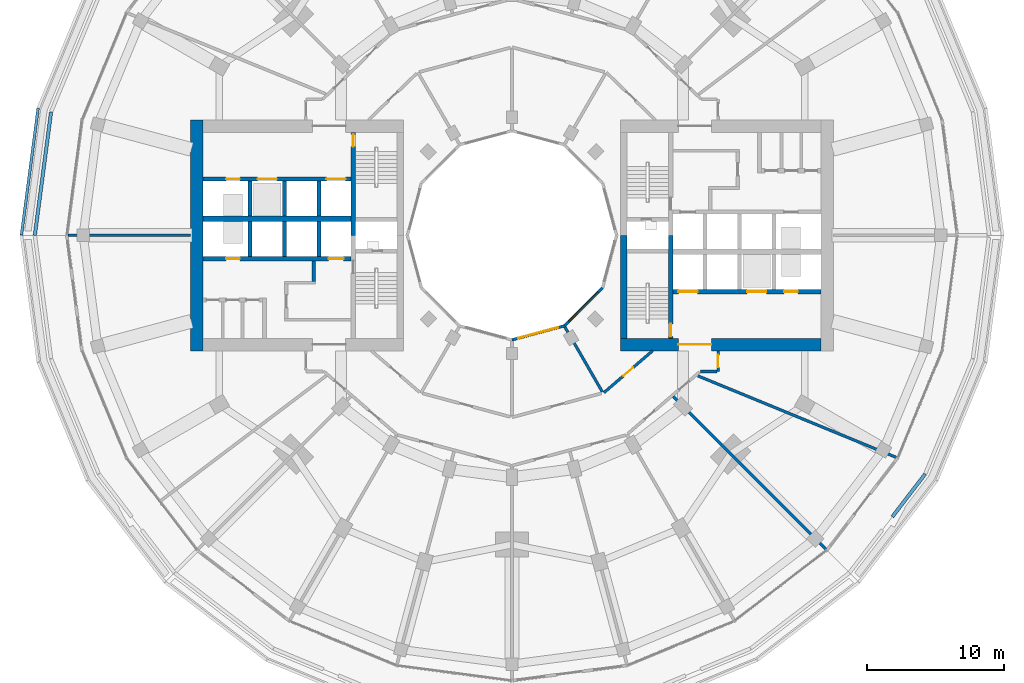
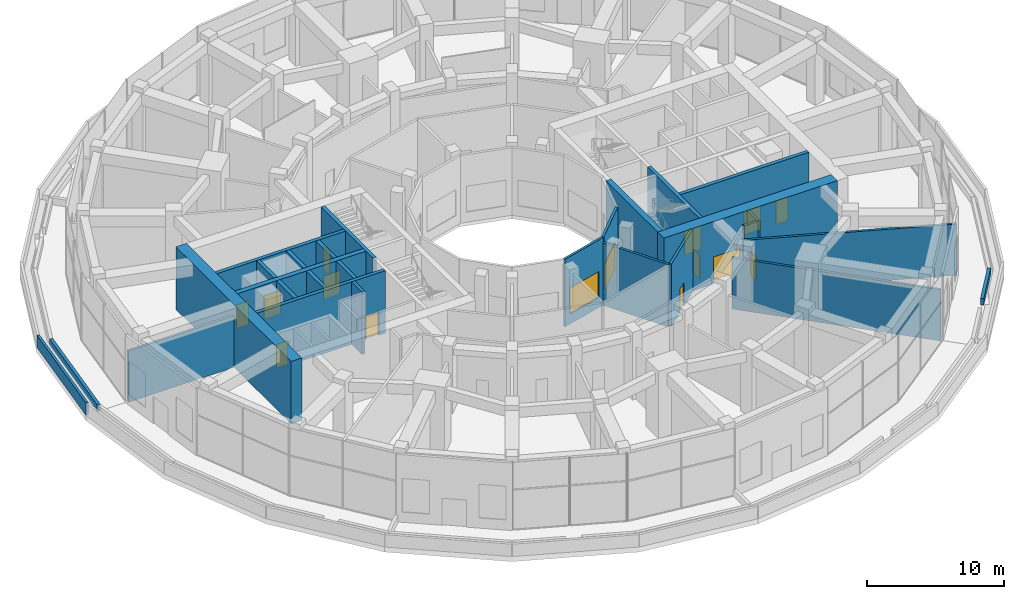
# One storey, part 17 of 23: 28 walls, 13 doors, 2 windows, 15 openings.
"""IFC4 building model written with IfcOpenShell, lengths in metres."""

from ifc_helpers import new_model, si_unit, direction, frame, frame_2d, origin, place, context, subcontext, project, spatial, rectangle, extrude, material, layer, layer_set, type_object, element, fill, save


model = new_model("IFC4")

# Units and contexts
model_context = context("Model", 3, precision=1e-05, world=origin(), true_north=direction((0.0, 1.0)))
body_context = subcontext(model_context, "Body", "Model", "MODEL_VIEW")
ifc_project = project(units=[si_unit("LENGTHUNIT", "METRE"), si_unit("AREAUNIT", "SQUARE_METRE"), si_unit("VOLUMEUNIT", "CUBIC_METRE"), si_unit("PLANEANGLEUNIT", "RADIAN"), si_unit("MASSUNIT", "GRAM", prefix="KILO")], contexts=[model_context])

# Site, building, storey
site_placement = place(None, origin())
site = spatial("IfcSite", under=ifc_project, at=site_placement, CompositionType="ELEMENT")
building_placement = place(site_placement, origin())
building = spatial("IfcBuilding", under=site, at=building_placement, Name="Torre Brocal", CompositionType="ELEMENT")
storey_placement = place(building_placement, frame((0.0, 0.0, 17.800048828125)))
storey = spatial("IfcBuildingStorey", under=building, at=storey_placement, Name="L03", CompositionType="ELEMENT", Elevation=17.800048828125)

# Wall
ifc_material_1 = material(Name="Concrete C80", Category="concrete")
ifc_layer_1 = layer(ifc_material_1, 0.25)
ifc_layer_set_1 = layer_set([ifc_layer_1], Name="Concrete C80")
wall_type_1 = type_object("IfcWallType", Name="CORE WALL 250 C80 UNDER 450 SLAB", PredefinedType="SHEAR", material=ifc_layer_set_1)
wall_1_placement = place(storey_placement, frame((65.574951171875, 73.14990234375, 0.0), z_axis=(0.0, 0.0, 1.0), x_axis=(0.0, -1.0, 0.0)))
element("IfcWall", 1, at=wall_1_placement, inside=storey, type_object=wall_type_1, Name="Wall CW250-80-S450", PredefinedType="SHEAR", context=body_context, shape_type="SweptSolid", body=[
    extrude(rectangle(XDim=1.5, YDim=0.25, at=frame_2d((0.75, 0.0))), origin(), (0.0, 0.0, 1.0), 5.550048828125),
])

# Wall, opening, door
ifc_material_2 = material(Name="Concrete C80", Category="concrete")
ifc_layer_2 = layer(ifc_material_2, 0.300048828125)
ifc_layer_set_2 = layer_set([ifc_layer_2], Name="Concrete C80")
wall_type_2 = type_object("IfcWallType", Name="CORE WALL 300 C80 UNDER 450 SLAB", PredefinedType="SHEAR", material=ifc_layer_set_2)
wall_2_placement = place(storey_placement, frame((91.550048828125, 67.5, 0.0), z_axis=(0.0, 0.0, 1.0), x_axis=(0.0, 1.0, 0.0)))
wall_2 = element("IfcWall", 2, at=wall_2_placement, inside=storey, type_object=wall_type_2, Name="Wall CW300-80-S450", PredefinedType="SHEAR", context=body_context, shape_type="SweptSolid", body=[
    extrude(rectangle(XDim=7.5, YDim=0.300048828125, at=frame_2d((3.75, 0.0))), origin(), (0.0, 0.0, 1.0), 5.550048828125),
])
opening_1_placement = place(wall_2_placement, frame((0.14990234375, 0.0, 0.0)))
opening_1 = element("IfcOpeningElement", 3, at=opening_1_placement, cuts=wall_2, Name="Opening E-D03", PredefinedType="OPENING", context=body_context, shape_type="SweptSolid", body=[
    extrude(rectangle(XDim=0.89990234375, YDim=2.10009765625, at=frame_2d((0.449951171875, 1.050048828125))), frame((0.0, 0.159912109375, 0.0), z_axis=(0.0, -1.0, 0.0), x_axis=(1.0, 0.0, 0.0)), (0.0, 0.0, 1.0), 0.320068359375),
])
ifc_material_3 = material(Name="Steel A653", Category="steel")
door_type_1 = type_object("IfcDoorType", Name="STAIR DOOR FD120 900X2100", OperationType="SINGLE_SWING_RIGHT", PredefinedType="DOOR", material=ifc_material_3)
door_1_placement = place(opening_1_placement, origin())
door_1 = element("IfcDoor", 4, at=door_1_placement, inside=storey, type_object=door_type_1, Name="Door E-D03", OperationType="SINGLE_SWING_LEFT", OverallHeight=2.10009765625, OverallWidth=0.89990234375, PredefinedType="DOOR", context=body_context, shape_type="SweptSolid", body=[
    extrude(rectangle(XDim=0.89990234375, YDim=2.10009765625, at=frame_2d((0.449951171875, 1.050048828125))), frame((0.0, 0.02490234375, 0.0), z_axis=(0.0, -1.0, 0.0), x_axis=(1.0, 0.0, 0.0)), (0.0, 0.0, 1.0), 0.050048828125),
])
fill(opening_1, door_1)

# Wall, openings, doors
wall_3_placement = place(storey_placement, frame((91.699951171875, 70.89990234375, 0.0), z_axis=(0.0, 0.0, 1.0), x_axis=(1.0, 0.0, 0.0)))
wall_3 = element("IfcWall", 5, at=wall_3_placement, inside=storey, type_object=wall_type_2, Name="Wall CW300-80-S450", PredefinedType="SHEAR", context=body_context, shape_type="SweptSolid", body=[
    extrude(rectangle(XDim=10.800048828125, YDim=0.300048828125, at=frame_2d((5.39990234375, 0.0))), origin(), (0.0, 0.0, 1.0), 5.550048828125),
])
opening_2_placement = place(wall_3_placement, frame((0.39990234375, 0.0, 0.0)))
opening_2 = element("IfcOpeningElement", 6, at=opening_2_placement, cuts=wall_3, Name="Opening LD14", PredefinedType="OPENING", context=body_context, shape_type="SweptSolid", body=[
    extrude(rectangle(XDim=1.39990234375, YDim=2.10009765625, at=frame_2d((0.699951171875, 1.050048828125))), frame((0.0, 0.159912109375, 0.0), z_axis=(0.0, -1.0, 0.0), x_axis=(1.0, 0.0, 0.0)), (0.0, 0.0, 1.0), 0.320068359375),
])
opening_3_placement = place(wall_3_placement, frame((5.39990234375, 0.0, 0.0)))
opening_3 = element("IfcOpeningElement", 7, at=opening_3_placement, cuts=wall_3, Name="Opening LD14", PredefinedType="OPENING", context=body_context, shape_type="SweptSolid", body=[
    extrude(rectangle(XDim=1.39990234375, YDim=2.10009765625, at=frame_2d((0.699951171875, 1.050048828125))), frame((0.0, 0.159912109375, 0.0), z_axis=(0.0, -1.0, 0.0), x_axis=(1.0, 0.0, 0.0)), (0.0, 0.0, 1.0), 0.320068359375),
])
opening_4_placement = place(wall_3_placement, frame((8.10009765625, 0.0, 0.0)))
opening_4 = element("IfcOpeningElement", 8, at=opening_4_placement, cuts=wall_3, Name="Opening LD10", PredefinedType="OPENING", context=body_context, shape_type="SweptSolid", body=[
    extrude(rectangle(XDim=1.0, YDim=2.10009765625, at=frame_2d((0.5, 1.050048828125))), frame((0.0, 0.159912109375, 0.0), z_axis=(0.0, -1.0, 0.0), x_axis=(1.0, 0.0, 0.0)), (0.0, 0.0, 1.0), 0.320068359375),
])
ifc_material_4 = material(Name="Stainless steel AISI 316", Category="steel")
door_type_2 = type_object("IfcDoorType", Name="LIFT LANDING DOOR 1000X2100", OperationType="DOUBLE_DOOR_SLIDING", PredefinedType="DOOR", material=ifc_material_4)
door_2_placement = place(opening_4_placement, origin())
door_2 = element("IfcDoor", 9, at=door_2_placement, inside=storey, type_object=door_type_2, Name="Door LD10", OperationType="DOUBLE_DOOR_SLIDING", OverallHeight=2.10009765625, OverallWidth=1.0, PredefinedType="DOOR", context=body_context, shape_type="SweptSolid", body=[
    extrude(rectangle(XDim=1.0, YDim=2.10009765625, at=frame_2d((0.5, 1.050048828125))), frame((0.0, 0.02490234375, 0.0), z_axis=(0.0, -1.0, 0.0), x_axis=(1.0, 0.0, 0.0)), (0.0, 0.0, 1.0), 0.050048828125),
])
fill(opening_4, door_2)
ifc_material_5 = material(Name="Stainless steel AISI 316", Category="steel")
door_type_3 = type_object("IfcDoorType", Name="LIFT LANDING DOOR 1400X2100", OperationType="DOUBLE_DOOR_SLIDING", PredefinedType="DOOR", material=ifc_material_5)
door_3_placement = place(opening_2_placement, origin())
door_3 = element("IfcDoor", 10, at=door_3_placement, inside=storey, type_object=door_type_3, Name="Door LD14", OperationType="DOUBLE_DOOR_SLIDING", OverallHeight=2.10009765625, OverallWidth=1.39990234375, PredefinedType="DOOR", context=body_context, shape_type="SweptSolid", body=[
    extrude(rectangle(XDim=1.39990234375, YDim=2.10009765625, at=frame_2d((0.699951171875, 1.050048828125))), frame((0.0, 0.02490234375, 0.0), z_axis=(0.0, -1.0, 0.0), x_axis=(1.0, 0.0, 0.0)), (0.0, 0.0, 1.0), 0.050048828125),
])
fill(opening_2, door_3)
door_4_placement = place(opening_3_placement, origin())
door_4 = element("IfcDoor", 11, at=door_4_placement, inside=storey, type_object=door_type_3, Name="Door LD14", OperationType="DOUBLE_DOOR_SLIDING", OverallHeight=2.10009765625, OverallWidth=1.39990234375, PredefinedType="DOOR", context=body_context, shape_type="SweptSolid", body=[
    extrude(rectangle(XDim=1.39990234375, YDim=2.10009765625, at=frame_2d((0.699951171875, 1.050048828125))), frame((0.0, 0.02490234375, 0.0), z_axis=(0.0, -1.0, 0.0), x_axis=(1.0, 0.0, 0.0)), (0.0, 0.0, 1.0), 0.050048828125),
])
fill(opening_3, door_4)

# Wall, opening, door
wall_4_placement = place(storey_placement, frame((68.449951171875, 82.5, 0.0), z_axis=(0.0, 0.0, 1.0), x_axis=(0.0, -1.0, 0.0)))
wall_4 = element("IfcWall", 12, at=wall_4_placement, inside=storey, type_object=wall_type_2, Name="Wall CW300-80-S450", PredefinedType="SHEAR", context=body_context, shape_type="SweptSolid", body=[
    extrude(rectangle(XDim=7.5, YDim=0.300048828125, at=frame_2d((3.75, 0.0))), origin(), (0.0, 0.0, 1.0), 5.550048828125),
])
opening_5_placement = place(wall_4_placement, frame((0.14990234375, 0.0, 0.0)))
opening_5 = element("IfcOpeningElement", 13, at=opening_5_placement, cuts=wall_4, Name="Opening W-D03", PredefinedType="OPENING", context=body_context, shape_type="SweptSolid", body=[
    extrude(rectangle(XDim=0.89990234375, YDim=2.10009765625, at=frame_2d((0.449951171875, 1.050048828125))), frame((0.0, 0.159912109375, 0.0), z_axis=(0.0, -1.0, 0.0), x_axis=(1.0, 0.0, 0.0)), (0.0, 0.0, 1.0), 0.320068359375),
])
door_5_placement = place(opening_5_placement, origin())
door_5 = element("IfcDoor", 14, at=door_5_placement, inside=storey, type_object=door_type_1, Name="Door W-D03", OperationType="SINGLE_SWING_LEFT", OverallHeight=2.10009765625, OverallWidth=0.89990234375, PredefinedType="DOOR", context=body_context, shape_type="SweptSolid", body=[
    extrude(rectangle(XDim=0.89990234375, YDim=2.10009765625, at=frame_2d((0.449951171875, 1.050048828125))), frame((0.0, 0.02490234375, 0.0), z_axis=(0.0, -1.0, 0.0), x_axis=(1.0, 0.0, 0.0)), (0.0, 0.0, 1.0), 0.050048828125),
])
fill(opening_5, door_5)

# Wall, openings, doors
wall_5_placement = place(storey_placement, frame((68.300048828125, 73.300048828125, 0.0), z_axis=(0.0, 0.0, 1.0), x_axis=(-1.0, 0.0, 0.0)))
wall_5 = element("IfcWall", 15, at=wall_5_placement, inside=storey, type_object=wall_type_2, Name="Wall CW300-80-S450", PredefinedType="SHEAR", context=body_context, shape_type="SweptSolid", body=[
    extrude(rectangle(XDim=10.800048828125, YDim=0.300048828125, at=frame_2d((5.39990234375, 0.0))), origin(), (0.0, 0.0, 1.0), 5.550048828125),
])
opening_6_placement = place(wall_5_placement, frame((0.550048828125, 0.0, 0.0)))
opening_6 = element("IfcOpeningElement", 16, at=opening_6_placement, cuts=wall_5, Name="Opening LD", PredefinedType="OPENING", context=body_context, shape_type="SweptSolid", body=[
    extrude(rectangle(XDim=1.10009765625, YDim=2.10009765625, at=frame_2d((0.550048828125, 1.050048828125))), frame((0.0, 0.159912109375, 0.0), z_axis=(0.0, -1.0, 0.0), x_axis=(1.0, 0.0, 0.0)), (0.0, 0.0, 1.0), 0.320068359375),
])
opening_7_placement = place(wall_5_placement, frame((8.10009765625, 0.0, 0.0)))
opening_7 = element("IfcOpeningElement", 17, at=opening_7_placement, cuts=wall_5, Name="Opening LD10", PredefinedType="OPENING", context=body_context, shape_type="SweptSolid", body=[
    extrude(rectangle(XDim=1.0, YDim=2.10009765625, at=frame_2d((0.5, 1.050048828125))), frame((0.0, 0.159912109375, 0.0), z_axis=(0.0, -1.0, 0.0), x_axis=(1.0, 0.0, 0.0)), (0.0, 0.0, 1.0), 0.320068359375),
])
door_6_placement = place(opening_7_placement, origin())
door_6 = element("IfcDoor", 18, at=door_6_placement, inside=storey, type_object=door_type_2, Name="Door LD10", OperationType="DOUBLE_DOOR_SLIDING", OverallHeight=2.10009765625, OverallWidth=1.0, PredefinedType="DOOR", context=body_context, shape_type="SweptSolid", body=[
    extrude(rectangle(XDim=1.0, YDim=2.10009765625, at=frame_2d((0.5, 1.050048828125))), frame((0.0, 0.02490234375, 0.0), z_axis=(0.0, -1.0, 0.0), x_axis=(1.0, 0.0, 0.0)), (0.0, 0.0, 1.0), 0.050048828125),
])
fill(opening_7, door_6)
ifc_material_6 = material(Name="Stainless steel AISI 316", Category="steel")
door_type_4 = type_object("IfcDoorType", Name="LIFT LANDING DOOR 1100X2100", OperationType="DOUBLE_DOOR_SLIDING", PredefinedType="DOOR", material=ifc_material_6)
door_7_placement = place(opening_6_placement, origin())
door_7 = element("IfcDoor", 19, at=door_7_placement, inside=storey, type_object=door_type_4, Name="Door LD", OperationType="DOUBLE_DOOR_SLIDING", OverallHeight=2.10009765625, OverallWidth=1.10009765625, PredefinedType="DOOR", context=body_context, shape_type="SweptSolid", body=[
    extrude(rectangle(XDim=1.10009765625, YDim=2.10009765625, at=frame_2d((0.550048828125, 1.050048828125))), frame((0.0, 0.02490234375, 0.0), z_axis=(0.0, -1.0, 0.0), x_axis=(1.0, 0.0, 0.0)), (0.0, 0.0, 1.0), 0.050048828125),
])
fill(opening_6, door_7)

wall_6_placement = place(storey_placement, frame((68.300048828125, 79.10009765625, 0.0), z_axis=(0.0, 0.0, 1.0), x_axis=(-1.0, 0.0, 0.0)))
wall_6 = element("IfcWall", 20, at=wall_6_placement, inside=storey, type_object=wall_type_2, Name="Wall CW300-80-S450", PredefinedType="SHEAR", context=body_context, shape_type="SweptSolid", body=[
    extrude(rectangle(XDim=10.800048828125, YDim=0.300048828125, at=frame_2d((5.39990234375, 0.0))), origin(), (0.0, 0.0, 1.0), 5.550048828125),
])
opening_8_placement = place(wall_6_placement, frame((0.39990234375, 0.0, 0.0)))
opening_8 = element("IfcOpeningElement", 21, at=opening_8_placement, cuts=wall_6, Name="Opening LD14", PredefinedType="OPENING", context=body_context, shape_type="SweptSolid", body=[
    extrude(rectangle(XDim=1.39990234375, YDim=2.10009765625, at=frame_2d((0.699951171875, 1.050048828125))), frame((0.0, 0.159912109375, 0.0), z_axis=(0.0, -1.0, 0.0), x_axis=(1.0, 0.0, 0.0)), (0.0, 0.0, 1.0), 0.320068359375),
])
opening_9_placement = place(wall_6_placement, frame((5.39990234375, 0.0, 0.0)))
opening_9 = element("IfcOpeningElement", 22, at=opening_9_placement, cuts=wall_6, Name="Opening LD14", PredefinedType="OPENING", context=body_context, shape_type="SweptSolid", body=[
    extrude(rectangle(XDim=1.39990234375, YDim=2.10009765625, at=frame_2d((0.699951171875, 1.050048828125))), frame((0.0, 0.159912109375, 0.0), z_axis=(0.0, -1.0, 0.0), x_axis=(1.0, 0.0, 0.0)), (0.0, 0.0, 1.0), 0.320068359375),
])
opening_10_placement = place(wall_6_placement, frame((8.10009765625, 0.0, 0.0)))
opening_10 = element("IfcOpeningElement", 23, at=opening_10_placement, cuts=wall_6, Name="Opening LD10", PredefinedType="OPENING", context=body_context, shape_type="SweptSolid", body=[
    extrude(rectangle(XDim=1.0, YDim=2.10009765625, at=frame_2d((0.5, 1.050048828125))), frame((0.0, 0.159912109375, 0.0), z_axis=(0.0, -1.0, 0.0), x_axis=(1.0, 0.0, 0.0)), (0.0, 0.0, 1.0), 0.320068359375),
])
door_8_placement = place(opening_10_placement, origin())
door_8 = element("IfcDoor", 24, at=door_8_placement, inside=storey, type_object=door_type_2, Name="Door LD10", OperationType="DOUBLE_DOOR_SLIDING", OverallHeight=2.10009765625, OverallWidth=1.0, PredefinedType="DOOR", context=body_context, shape_type="SweptSolid", body=[
    extrude(rectangle(XDim=1.0, YDim=2.10009765625, at=frame_2d((0.5, 1.050048828125))), frame((0.0, 0.02490234375, 0.0), z_axis=(0.0, -1.0, 0.0), x_axis=(1.0, 0.0, 0.0)), (0.0, 0.0, 1.0), 0.050048828125),
])
fill(opening_10, door_8)
door_9_placement = place(opening_8_placement, origin())
door_9 = element("IfcDoor", 25, at=door_9_placement, inside=storey, type_object=door_type_3, Name="Door LD14", OperationType="DOUBLE_DOOR_SLIDING", OverallHeight=2.10009765625, OverallWidth=1.39990234375, PredefinedType="DOOR", context=body_context, shape_type="SweptSolid", body=[
    extrude(rectangle(XDim=1.39990234375, YDim=2.10009765625, at=frame_2d((0.699951171875, 1.050048828125))), frame((0.0, 0.02490234375, 0.0), z_axis=(0.0, -1.0, 0.0), x_axis=(1.0, 0.0, 0.0)), (0.0, 0.0, 1.0), 0.050048828125),
])
fill(opening_8, door_9)
door_10_placement = place(opening_9_placement, origin())
door_10 = element("IfcDoor", 26, at=door_10_placement, inside=storey, type_object=door_type_3, Name="Door LD14", OperationType="DOUBLE_DOOR_SLIDING", OverallHeight=2.10009765625, OverallWidth=1.39990234375, PredefinedType="DOOR", context=body_context, shape_type="SweptSolid", body=[
    extrude(rectangle(XDim=1.39990234375, YDim=2.10009765625, at=frame_2d((0.699951171875, 1.050048828125))), frame((0.0, 0.02490234375, 0.0), z_axis=(0.0, -1.0, 0.0), x_axis=(1.0, 0.0, 0.0)), (0.0, 0.0, 1.0), 0.050048828125),
])
fill(opening_9, door_10)

# Walls
for number, where, z_axis, x_axis, name in (
    (27, (65.949951171875, 76.0, 0.0), (0.0, 0.0, 1.0), (0.0, -1.0, 0.0), "Wall CW300-80-S450"),
    (28, (63.449951171875, 76.0, 0.0), (0.0, 0.0, 1.0), (0.0, -1.0, 0.0), "Wall CW300-80-S450"),
    (29, (60.949951171875, 76.0, 0.0), (0.0, 0.0, 1.0), (0.0, -1.0, 0.0), "Wall CW300-80-S450"),
    (30, (65.949951171875, 78.949951171875, 0.0), (0.0, 0.0, 1.0), (0.0, -1.0, 0.0), "Wall CW300-80-S450"),
    (31, (63.449951171875, 78.949951171875, 0.0), (0.0, 0.0, 1.0), (0.0, -1.0, 0.0), "Wall CW300-80-S450"),
    (32, (60.949951171875, 78.949951171875, 0.0), (0.0, 0.0, 1.0), (0.0, -1.0, 0.0), "Wall CW300-80-S450"),
):
    element("IfcWall", number, at=place(storey_placement, frame(where, z_axis=z_axis, x_axis=x_axis)), inside=storey, type_object=wall_type_2, Name=name, PredefinedType="SHEAR", context=body_context, shape_type="SweptSolid", body=[
        extrude(rectangle(XDim=2.550048828125, YDim=0.300048828125, at=frame_2d((1.27490234375, 0.0))), origin(), (0.0, 0.0, 1.0), 5.550048828125),
    ])
ifc_material_7 = material(Name="Concrete C80", Category="concrete")
ifc_layer_3 = layer(ifc_material_7, 0.39990234375)
ifc_layer_set_3 = layer_set([ifc_layer_3], Name="Concrete C80")
wall_type_3 = type_object("IfcWallType", Name="CORE WALL 400 C80 UNDER 450 SLAB", PredefinedType="SHEAR", material=ifc_layer_set_3)
wall_7_placement = place(storey_placement, frame((68.300048828125, 76.199951171875, 0.0), z_axis=(0.0, 0.0, 1.0), x_axis=(-1.0, 0.0, 0.0)))
element("IfcWall", 33, at=wall_7_placement, inside=storey, type_object=wall_type_3, Name="Wall CW400-80-S450", PredefinedType="SHEAR", context=body_context, shape_type="SweptSolid", body=[
    extrude(rectangle(XDim=10.800048828125, YDim=0.39990234375, at=frame_2d((5.39990234375, 0.0))), origin(), (0.0, 0.0, 1.0), 5.550048828125),
])
ifc_material_8 = material(Name="Concrete C80", Category="concrete")
ifc_layer_4 = layer(ifc_material_8, 0.449951171875)
ifc_layer_set_4 = layer_set([ifc_layer_4], Name="Concrete C80")
wall_type_4 = type_object("IfcWallType", Name="CORE WALL 450 C80 UNDER 450 SLAB", PredefinedType="SHEAR", material=ifc_layer_set_4)
wall_8_placement = place(storey_placement, frame((88.125, 67.5, 0.0), z_axis=(0.0, 0.0, 1.0), x_axis=(0.0, 1.0, 0.0)))
element("IfcWall", 34, at=wall_8_placement, inside=storey, type_object=wall_type_4, Name="Wall CW450-80-S450", PredefinedType="SHEAR", context=body_context, shape_type="SweptSolid", body=[
    extrude(rectangle(XDim=7.5, YDim=0.449951171875, at=frame_2d((3.75, 0.0))), origin(), (0.0, 0.0, 1.0), 5.550048828125),
])

# Wall, opening, door
ifc_material_9 = material(Name="Concrete C80", Category="concrete")
ifc_layer_5 = layer(ifc_material_9, 0.89990234375)
ifc_layer_set_5 = layer_set([ifc_layer_5], Name="Concrete C80")
wall_type_5 = type_object("IfcWallType", Name="CORE WALL 900 C80 UNDER 450 SLAB", PredefinedType="SHEAR", material=ifc_layer_set_5)
wall_9_placement = place(storey_placement, frame((87.89990234375, 67.050048828125, 0.0), z_axis=(0.0, 0.0, 1.0), x_axis=(1.0, 0.0, 0.0)))
wall_9 = element("IfcWall", 35, at=wall_9_placement, inside=storey, type_object=wall_type_5, Name="Wall CW900-80-S450", PredefinedType="SHEAR", context=body_context, shape_type="SweptSolid", body=[
    extrude(rectangle(XDim=14.60009765625, YDim=0.89990234375, at=frame_2d((7.300048828125, 0.0))), origin(), (0.0, 0.0, 1.0), 5.550048828125),
])
opening_11_placement = place(wall_9_placement, frame((4.199951171875, 0.0, 0.0)))
opening_11 = element("IfcOpeningElement", 36, at=opening_11_placement, cuts=wall_9, Name="Opening E-D30", PredefinedType="OPENING", context=body_context, shape_type="SweptSolid", body=[
    extrude(rectangle(XDim=2.39990234375, YDim=2.39990234375, at=frame_2d((1.199951171875, 1.199951171875))), frame((0.0, 0.4599609375, 0.0), z_axis=(0.0, -1.0, 0.0), x_axis=(1.0, 0.0, 0.0)), (0.0, 0.0, 1.0), 0.919921875),
])
ifc_material_10 = material(Name="Steel A653", Category="steel")
door_type_5 = type_object("IfcDoorType", Name="DOUBLE FIRE DOOR FD90 2400X2400", OperationType="DOUBLE_DOOR_SINGLE_SWING", PredefinedType="DOOR", material=ifc_material_10)
door_11_placement = place(opening_11_placement, origin())
door_11 = element("IfcDoor", 37, at=door_11_placement, inside=storey, type_object=door_type_5, Name="Door E-D30", OperationType="DOUBLE_DOOR_SINGLE_SWING", OverallHeight=2.39990234375, OverallWidth=2.39990234375, PredefinedType="DOOR", context=body_context, shape_type="SweptSolid", body=[
    extrude(rectangle(XDim=2.39990234375, YDim=2.39990234375, at=frame_2d((1.199951171875, 1.199951171875))), frame((0.0, 0.02490234375, 0.0), z_axis=(0.0, -1.0, 0.0), x_axis=(1.0, 0.0, 0.0)), (0.0, 0.0, 1.0), 0.050048828125),
])
fill(opening_11, door_11)

# Walls
wall_10_placement = place(storey_placement, frame((57.050048828125, 83.39990234375, 0.0), z_axis=(0.0, 0.0, 1.0), x_axis=(0.0, -1.0, 0.0)))
element("IfcWall", 38, at=wall_10_placement, inside=storey, type_object=wall_type_5, Name="Wall CW900-80-S450", PredefinedType="SHEAR", context=body_context, shape_type="SweptSolid", body=[
    extrude(rectangle(XDim=16.7998046875, YDim=0.89990234375, at=frame_2d((8.39990234375, 0.0))), origin(), (0.0, 0.0, 1.0), 5.550048828125),
])
ifc_material_11 = material(Name="Concrete C40", Category="concrete")
ifc_layer_6 = layer(ifc_material_11, 0.199951171875)
ifc_layer_set_6 = layer_set([ifc_layer_6], Name="Concrete C40")
wall_type_6 = type_object("IfcWallType", Name="PARAPET WALL 200 THICK 1100 HIGH 2", PredefinedType="PARAPET", material=ifc_layer_set_6)
wall_11_placement = place(storey_placement, frame((44.30419921875, 75.012939453125, 0.0), z_axis=(0.0, 0.0, 1.0), x_axis=(0.130547618995, 0.99144204025, 0.0)))
element("IfcWall", 39, at=wall_11_placement, inside=storey, type_object=wall_type_6, Name="PARAPET WALL 13", PredefinedType="PARAPET", context=body_context, shape_type="SweptSolid", body=[
    extrude(rectangle(XDim=9.292724609375, YDim=0.199951171875, at=frame_2d((4.646484375, 0.0))), origin(), (0.0, 0.0, 1.0), 1.099853515625),
])
ifc_material_12 = material(Name="Gypsum board", Category="Gypsum")
ifc_layer_7 = layer(ifc_material_12, 0.199951171875)
ifc_layer_set_7 = layer_set([ifc_layer_7], Name="Gypsum board")
wall_type_7 = type_object("IfcWallType", Name="PARTITION 200 EI60", PredefinedType="PARTITIONING", material=ifc_layer_set_7)
wall_12_placement = place(storey_placement, frame((83.848388671875, 68.33251953125, 0.0), z_axis=(0.0, 0.0, 1.0), x_axis=(0.49997314572, -0.866040907555, 0.0)))
element("IfcWall", 40, at=wall_12_placement, inside=storey, type_object=wall_type_7, Name="SERVICE ROOM WALL", PredefinedType="PARTITIONING", context=body_context, shape_type="SweptSolid", body=[
    extrude(rectangle(XDim=5.451416015625, YDim=0.199951171875, at=frame_2d((2.7255859375, 0.0))), origin(), (0.0, 0.0, 1.0), 5.550048828125),
])

# Wall, opening, door
wall_13_placement = place(storey_placement, frame((86.68505859375, 63.551025390625, 0.0), z_axis=(0.0, 0.0, 1.0), x_axis=(0.758049900748, 0.652196556244, 0.0)))
wall_13 = element("IfcWall", 41, at=wall_13_placement, inside=storey, type_object=wall_type_7, Name="CORRIDOR WALL", PredefinedType="PARTITIONING", context=body_context, shape_type="SweptSolid", body=[
    extrude(rectangle(XDim=4.675048828125, YDim=0.199951171875, at=frame_2d((2.33740234375, 0.0))), origin(), (0.0, 0.0, 1.0), 5.550048828125),
])
opening_12_placement = place(wall_13_placement, frame((1.887451171875, 0.0, 0.0)))
opening_12 = element("IfcOpeningElement", 42, at=opening_12_placement, cuts=wall_13, Name="Opening PD3-D27", PredefinedType="OPENING", context=body_context, shape_type="SweptSolid", body=[
    extrude(rectangle(XDim=0.89990234375, YDim=2.10009765625, at=frame_2d((0.449951171875, 1.050048828125))), frame((0.0, 0.10986328125, 0.0), z_axis=(0.0, -1.0, 0.0), x_axis=(1.0, 0.0, 0.0)), (0.0, 0.0, 1.0), 0.219970703125),
])
ifc_material_13 = material(Name="Timber", Category="wood")
door_type_6 = type_object("IfcDoorType", Name="ROOM DOOR 900X2100", OperationType="SINGLE_SWING_LEFT", PredefinedType="DOOR", material=ifc_material_13)
door_12_placement = place(opening_12_placement, origin())
door_12 = element("IfcDoor", 43, at=door_12_placement, inside=storey, type_object=door_type_6, Name="PD3-D27", OperationType="SINGLE_SWING_RIGHT", OverallHeight=2.10009765625, OverallWidth=0.89990234375, PredefinedType="DOOR", context=body_context, shape_type="SweptSolid", body=[
    extrude(rectangle(XDim=0.89990234375, YDim=2.10009765625, at=frame_2d((0.449951171875, 1.050048828125))), frame((0.0, 0.02490234375, 0.0), z_axis=(0.0, -1.0, 0.0), x_axis=(1.0, 0.0, 0.0)), (0.0, 0.0, 1.0), 0.050048828125),
])
fill(opening_12, door_12)

# Wall
wall_14_placement = place(storey_placement, frame((93.697998046875, 65.10009765625, 0.0), z_axis=(0.0, 0.0, 1.0), x_axis=(1.0, 0.0, 0.0)))
element("IfcWall", 44, at=wall_14_placement, inside=storey, type_object=wall_type_7, Name="PLANT ROOM WALL", PredefinedType="PARTITIONING", context=body_context, shape_type="SweptSolid", body=[
    extrude(rectangle(XDim=1.201904296875, YDim=0.199951171875, at=frame_2d((0.60107421875, 0.0))), origin(), (0.0, 0.0, 1.0), 5.550048828125),
])

# Wall, opening, door
wall_15_placement = place(storey_placement, frame((95.0, 65.10009765625, 0.0), z_axis=(0.0, 0.0, 1.0), x_axis=(0.0, 1.0, 0.0)))
wall_15 = element("IfcWall", 45, at=wall_15_placement, inside=storey, type_object=wall_type_7, Name="PLANT ROOM WALL", PredefinedType="PARTITIONING", context=body_context, shape_type="SweptSolid", body=[
    extrude(rectangle(XDim=1.4990234375, YDim=0.199951171875, at=frame_2d((0.74951171875, 0.0))), origin(), (0.0, 0.0, 1.0), 5.550048828125),
])
opening_13_placement = place(wall_15_placement, frame((0.300048828125, 0.0, 0.0)))
opening_13 = element("IfcOpeningElement", 46, at=opening_13_placement, cuts=wall_15, Name="Opening PD3-D18", PredefinedType="OPENING", context=body_context, shape_type="SweptSolid", body=[
    extrude(rectangle(XDim=0.89990234375, YDim=2.10009765625, at=frame_2d((0.449951171875, 1.050048828125))), frame((0.0, 0.10986328125, 0.0), z_axis=(0.0, -1.0, 0.0), x_axis=(1.0, 0.0, 0.0)), (0.0, 0.0, 1.0), 0.219970703125),
])
door_13_placement = place(opening_13_placement, frame((0.89990234375, 0.0, 0.0), z_axis=(0.0, 0.0, 1.0), x_axis=(-1.0, 0.0, 0.0)))
door_13 = element("IfcDoor", 47, at=door_13_placement, inside=storey, type_object=door_type_6, Name="PD3-D18", OperationType="SINGLE_SWING_LEFT", OverallHeight=2.10009765625, OverallWidth=0.89990234375, PredefinedType="DOOR", context=body_context, shape_type="SweptSolid", body=[
    extrude(rectangle(XDim=0.89990234375, YDim=2.10009765625, at=frame_2d((0.449951171875, 1.050048828125))), frame((0.0, 0.02490234375, 0.0), z_axis=(0.0, -1.0, 0.0), x_axis=(1.0, 0.0, 0.0)), (0.0, 0.0, 1.0), 0.050048828125),
])
fill(opening_13, door_13)

# Walls
ifc_material_14 = material(Name="Gypsum board", Category="Gypsum")
ifc_layer_8 = layer(ifc_material_14, 0.199951171875)
ifc_layer_set_8 = layer_set([ifc_layer_8], Name="Gypsum board")
wall_type_8 = type_object("IfcWallType", Name="PARTITION 200 EI60 UNDER BEAM 1450", PredefinedType="PARTITIONING", material=ifc_layer_set_8)
wall_16_placement = place(storey_placement, frame((47.702880859375, 75.0, 0.0), z_axis=(0.0, 0.0, 1.0), x_axis=(1.0, 0.0, 0.0)))
element("IfcWall", 48, at=wall_16_placement, inside=storey, type_object=wall_type_8, Name="PLANT ROOM WALL", PredefinedType="PARTITIONING", context=body_context, shape_type="SweptSolid", body=[
    extrude(rectangle(XDim=8.896240234375, YDim=0.199951171875, at=frame_2d((4.4482421875, 0.0))), origin(), (0.0, 0.0, 1.0), 4.550048828125),
])
wall_17_placement = place(storey_placement, frame((91.73486328125, 63.26513671875, 0.0), z_axis=(0.0, 0.0, 1.0), x_axis=(0.707106781187, -0.707106781187, 0.0)))
element("IfcWall", 49, at=wall_17_placement, inside=storey, type_object=wall_type_8, Name="PARTY PARTITION", PredefinedType="PARTITIONING", context=body_context, shape_type="SweptSolid", body=[
    extrude(rectangle(XDim=15.70263671875, YDim=0.199951171875, at=frame_2d((7.851318359375, 0.0))), origin(), (0.0, 0.0, 1.0), 4.550048828125),
])
wall_18_placement = place(storey_placement, frame((93.534912109375, 64.771240234375, 0.0), z_axis=(0.0, 0.0, 1.0), x_axis=(0.92493209613, -0.380132368457, 0.0)))
element("IfcWall", 50, at=wall_18_placement, inside=storey, type_object=wall_type_8, Name="PLANT ROOM WALL", PredefinedType="PARTITIONING", context=body_context, shape_type="SweptSolid", body=[
    extrude(rectangle(XDim=15.653564453125, YDim=0.199951171875, at=frame_2d((7.82666015625, 0.0))), origin(), (0.0, 0.0, 1.0), 4.550048828125),
])
ifc_material_15 = material(Name="Concrete C35", Category="concrete")
ifc_layer_9 = layer(ifc_material_15, 0.25)
ifc_layer_set_9 = layer_set([ifc_layer_9], Name="Concrete C35")
wall_type_9 = type_object("IfcWallType", Name="PLANTER WALL 250 THICK 600 HIGH 2", PredefinedType="USERDEFINED", material=ifc_layer_set_9)
wall_19_placement = place(storey_placement, frame((45.281005859375, 75.0, 0.0), z_axis=(0.0, 0.0, 1.0), x_axis=(0.130528506283, 0.991444556719, 0.0)))
element("IfcWall", 51, at=wall_19_placement, inside=storey, type_object=wall_type_9, Name="PLANTER", ObjectType="PLANTER", PredefinedType="USERDEFINED", context=body_context, shape_type="SweptSolid", body=[
    extrude(rectangle(XDim=9.047119140625, YDim=0.25, at=frame_2d((4.5234375, 0.0))), origin(), (0.0, 0.0, 1.0), 0.599853515625),
])
wall_20_placement = place(storey_placement, frame((110.0576171875, 57.62744140625, 0.0), z_axis=(0.0, 0.0, 1.0), x_axis=(-0.608773153249, -0.793344343828, 0.0)))
element("IfcWall", 52, at=wall_20_placement, inside=storey, type_object=wall_type_9, Name="PLANTER", ObjectType="PLANTER", PredefinedType="USERDEFINED", context=body_context, shape_type="SweptSolid", body=[
    extrude(rectangle(XDim=3.915283203125, YDim=0.25, at=frame_2d((1.95751953125, 0.0))), origin(), (0.0, 0.0, 1.0), 0.599853515625),
])

# Wall, opening, window
ifc_material_16 = material(Name="Concrete C40", Category="concrete")
ifc_layer_10 = layer(ifc_material_16, 0.199951171875)
ifc_layer_set_10 = layer_set([ifc_layer_10], Name="Concrete C40")
wall_type_10 = type_object("IfcWallType", Name="WELL FACADE WALL 200", PredefinedType="NOTDEFINED", material=ifc_layer_set_10)
wall_21_placement = place(storey_placement, frame((80.0, 67.396484375, 0.0), z_axis=(0.0, 0.0, 1.0), x_axis=(0.965933654434, 0.258789828301, 0.0)))
wall_21 = element("IfcWall", 53, at=wall_21_placement, inside=storey, type_object=wall_type_10, Name="WELL FACADE WALL", PredefinedType="NOTDEFINED", context=body_context, shape_type="SweptSolid", body=[
    extrude(rectangle(XDim=3.935791015625, YDim=0.199951171875, at=frame_2d((1.9677734375, 0.0))), origin(), (0.0, 0.0, 1.0), 6.0),
])
opening_14_placement = place(wall_21_placement, frame((0.468017578125, 0.0, 0.89990234375)))
opening_14 = element("IfcOpeningElement", 54, at=opening_14_placement, cuts=wall_21, Name="Opening W1", PredefinedType="OPENING", context=body_context, shape_type="SweptSolid", body=[
    extrude(rectangle(XDim=3.0, YDim=2.300048828125, at=frame_2d((1.5, 1.14990234375))), frame((0.0, 0.10986328125, 0.0), z_axis=(0.0, -1.0, 0.0), x_axis=(1.0, 0.0, 0.0)), (0.0, 0.0, 1.0), 0.219970703125),
])
ifc_material_17 = material(Name="Aluminium and glass", Category="aluminium")
window_type = type_object("IfcWindowType", Name="WELL WINDOW 3000X2300", PartitioningType="SINGLE_PANEL", PredefinedType="WINDOW", material=ifc_material_17)
window_1_placement = place(opening_14_placement, origin())
window_1 = element("IfcWindow", 55, at=window_1_placement, inside=storey, type_object=window_type, Name="WELL WINDOW 3000X2300", OverallHeight=2.300048828125, OverallWidth=3.0, PartitioningType="SINGLE_PANEL", PredefinedType="WINDOW", context=body_context, shape_type="SweptSolid", body=[
    extrude(rectangle(XDim=3.0, YDim=2.300048828125, at=frame_2d((1.5, 1.14990234375))), frame((0.0, 0.030029296875, 0.0), z_axis=(0.0, -1.0, 0.0), x_axis=(1.0, 0.0, 0.0)), (0.0, 0.0, 1.0), 0.06005859375),
])
fill(opening_14, window_1)

wall_22_placement = place(storey_placement, frame((83.8017578125, 68.4150390625, 0.0), z_axis=(0.0, 0.0, 1.0), x_axis=(0.707106781187, 0.707106781187, 0.0)))
wall_22 = element("IfcWall", 56, at=wall_22_placement, inside=storey, type_object=wall_type_10, Name="WELL FACADE WALL", PredefinedType="NOTDEFINED", context=body_context, shape_type="SweptSolid", body=[
    extrude(rectangle(XDim=3.93603515625, YDim=0.199951171875, at=frame_2d((1.968017578125, 0.0))), origin(), (0.0, 0.0, 1.0), 6.0),
])
opening_15_placement = place(wall_22_placement, frame((0.468017578125, 0.0, 0.89990234375)))
opening_15 = element("IfcOpeningElement", 57, at=opening_15_placement, cuts=wall_22, Name="Opening W1", PredefinedType="OPENING", context=body_context, shape_type="SweptSolid", body=[
    extrude(rectangle(XDim=3.0, YDim=2.300048828125, at=frame_2d((1.5, 1.14990234375))), frame((0.0, 0.10986328125, 0.0), z_axis=(0.0, -1.0, 0.0), x_axis=(1.0, 0.0, 0.0)), (0.0, 0.0, 1.0), 0.219970703125),
])
window_2_placement = place(opening_15_placement, origin())
window_2 = element("IfcWindow", 58, at=window_2_placement, inside=storey, type_object=window_type, Name="WELL WINDOW 3000X2300", OverallHeight=2.300048828125, OverallWidth=3.0, PartitioningType="SINGLE_PANEL", PredefinedType="WINDOW", context=body_context, shape_type="SweptSolid", body=[
    extrude(rectangle(XDim=3.0, YDim=2.300048828125, at=frame_2d((1.5, 1.14990234375))), frame((0.0, 0.030029296875, 0.0), z_axis=(0.0, -1.0, 0.0), x_axis=(1.0, 0.0, 0.0)), (0.0, 0.0, 1.0), 0.06005859375),
])
fill(opening_15, window_2)

save(model, "model.ifc")
